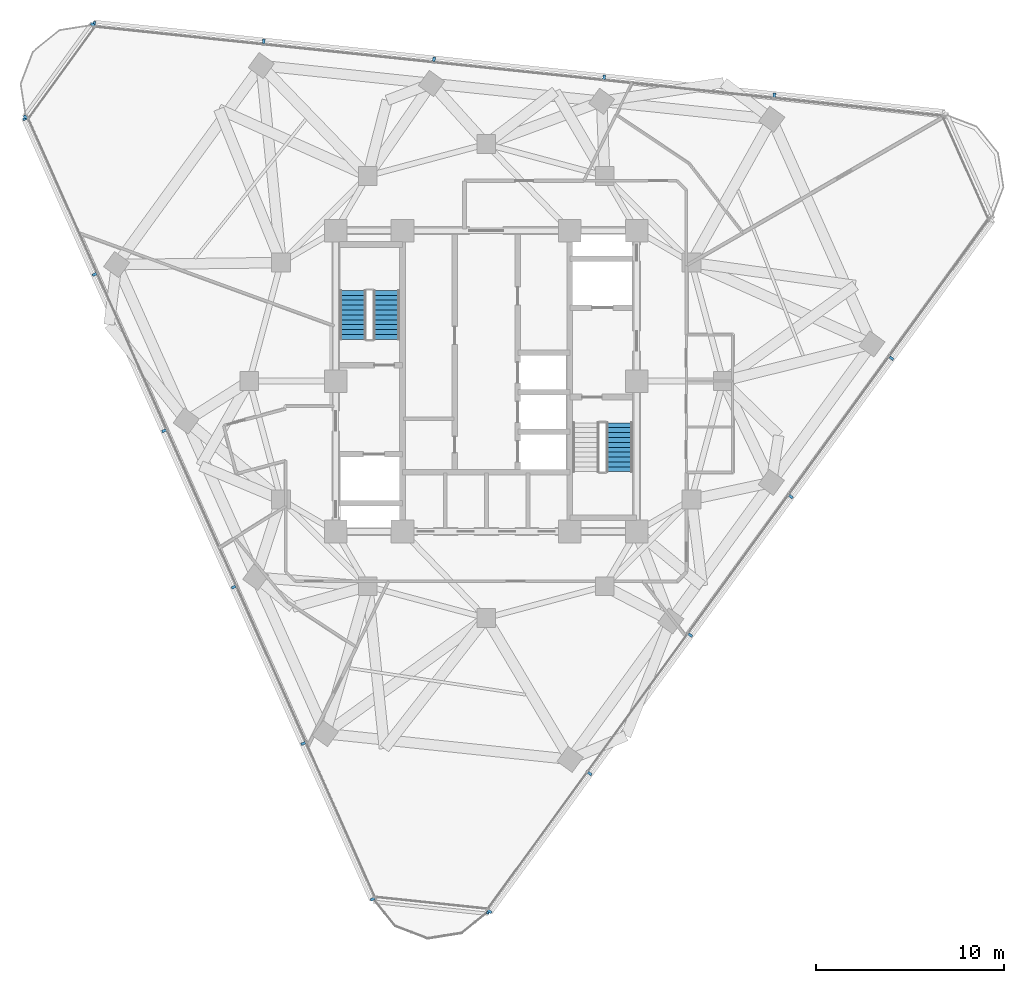
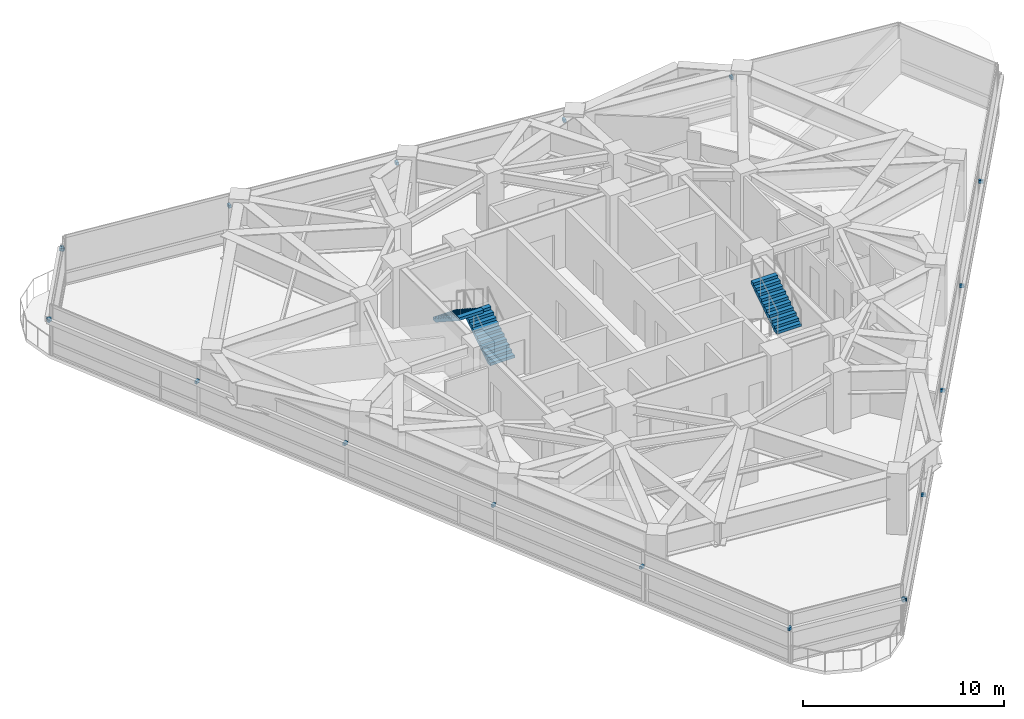
# One storey, part 10 of 14: 19 discrete accessories, 3 stair flights, 2 elements without a shape of their own.
"""IFC4 building model written with IfcOpenShell, lengths in metres."""

from ifc_helpers import new_model, si_unit, direction, frame, origin, origin_2d, place, context, subcontext, project, spatial, polyline, rectangle, outline, extrude, material, type_object, element, aggregate, save


model = new_model("IFC4")

# Units and contexts
model_context = context("Model", 3, precision=1e-05, world=origin(), true_north=direction((0.0, 1.0)))
body_context = subcontext(model_context, "Body", "Model", "MODEL_VIEW")
ifc_project = project(units=[si_unit("LENGTHUNIT", "METRE"), si_unit("AREAUNIT", "SQUARE_METRE"), si_unit("VOLUMEUNIT", "CUBIC_METRE"), si_unit("PLANEANGLEUNIT", "RADIAN"), si_unit("MASSUNIT", "GRAM", prefix="KILO")], contexts=[model_context])

# Site, building, storey
site_placement = place(None, origin())
site = spatial("IfcSite", under=ifc_project, at=site_placement, CompositionType="ELEMENT")
building_placement = place(site_placement, origin())
building = spatial("IfcBuilding", under=site, at=building_placement, Name="Terralouvre Media Tower", CompositionType="ELEMENT")
storey_placement = place(building_placement, frame((0.0, 0.0, 244.800048828125)))
storey = spatial("IfcBuildingStorey", under=building, at=storey_placement, Name="L63", CompositionType="ELEMENT", Elevation=244.800048828125)

# Stair, stair flights
ifc_material_1 = material(Name="Concrete C45/55", Category="concrete")
stair_type_1 = type_object("IfcStairType", Name="Dogleg Stair Assembly ST-01", PredefinedType="HALF_TURN_STAIR", material=ifc_material_1)
stair_1_placement = place(storey_placement, origin())
stair_1 = element("IfcStair", 1, at=stair_1_placement, inside=storey, type_object=stair_type_1, Name="L63 Core Pressurised Exit Stair ST-01", PredefinedType="HALF_TURN_STAIR")
ifc_material_2 = material(Name="Concrete C45/55", Category="concrete")
stair_flight_type = type_object("IfcStairFlightType", Name="Reinforced Concrete Stair Flight SF-RC1", PredefinedType="STRAIGHT", material=ifc_material_2)
stair_flight_1_placement = place(storey_placement, frame((-5.300048828125, 2.219970703125, 0.0), z_axis=(0.0, 0.0, 1.0), x_axis=(0.0, 1.0, 0.0)))
stair_flight_1 = element("IfcStairFlight", 2, at=stair_flight_1_placement, type_object=stair_flight_type, Name="ST-01 flight 1", NumberOfRisers=11, NumberOfTreads=10, PredefinedType="STRAIGHT", RiserHeight=0.168181818, TreadLength=0.26, context=body_context, shape_type="SweptSolid", body=[
    extrude(outline(polyline([(0.0, 0.0), (0.0, 0.168212890625), (0.260009765625, 0.168212890625), (0.260009765625, 0.33642578125), (0.52001953125, 0.33642578125), (0.52001953125, 0.504638671875), (0.780029296875, 0.504638671875), (0.780029296875, 0.672607421875), (1.0400390625, 0.672607421875), (1.0400390625, 0.8408203125), (1.300048828125, 0.8408203125), (1.300048828125, 1.009033203125), (1.56005859375, 1.009033203125), (1.56005859375, 1.17724609375), (1.820068359375, 1.17724609375), (1.820068359375, 1.345458984375), (2.080078125, 1.345458984375), (2.080078125, 1.513671875), (2.340087890625, 1.513671875), (2.340087890625, 1.681884765625), (2.60009765625, 1.681884765625), (2.60009765625, 1.85009765625), (2.60009765625, 1.503173828125), (0.27587890625, 0.0), (0.0, 0.0)])), frame((0.0, 0.699951171875, 0.0), z_axis=(0.0, -1.0, 0.0), x_axis=(1.0, 0.0, 0.0)), (0.0, 0.0, 1.0), 1.39990234375),
])
stair_flight_2_placement = place(storey_placement, frame((-7.080078125, 4.820068359375, 1.849853515625), z_axis=(0.0, 0.0, 1.0), x_axis=(0.0, -1.0, 0.0)))
stair_flight_2 = element("IfcStairFlight", 3, at=stair_flight_2_placement, type_object=stair_flight_type, Name="ST-01 flight 2", NumberOfRisers=11, NumberOfTreads=10, PredefinedType="STRAIGHT", RiserHeight=0.168181818, TreadLength=0.26, context=body_context, shape_type="SweptSolid", body=[
    extrude(outline(polyline([(0.0, 0.0), (0.0, 0.168212890625), (0.260009765625, 0.168212890625), (0.260009765625, 0.33642578125), (0.52001953125, 0.33642578125), (0.52001953125, 0.504638671875), (0.780029296875, 0.504638671875), (0.780029296875, 0.672607421875), (1.0400390625, 0.672607421875), (1.0400390625, 0.8408203125), (1.300048828125, 0.8408203125), (1.300048828125, 1.009033203125), (1.56005859375, 1.009033203125), (1.56005859375, 1.17724609375), (1.820068359375, 1.17724609375), (1.820068359375, 1.345458984375), (2.080078125, 1.345458984375), (2.080078125, 1.513671875), (2.340087890625, 1.513671875), (2.340087890625, 1.681884765625), (2.60009765625, 1.681884765625), (2.60009765625, 1.85009765625), (2.60009765625, 1.503173828125), (0.27587890625, 0.0), (0.0, 0.0)])), frame((0.0, 0.699951171875, 0.0), z_axis=(0.0, -1.0, 0.0), x_axis=(1.0, 0.0, 0.0)), (0.0, 0.0, 1.0), 1.39990234375),
])
aggregate(stair_1, [stair_flight_1, stair_flight_2])

# Stair, stair flight
ifc_material_3 = material(Name="Concrete C45/55", Category="concrete")
stair_type_2 = type_object("IfcStairType", Name="Dogleg Stair Assembly ST-02", PredefinedType="HALF_TURN_STAIR", material=ifc_material_3)
stair_2_placement = place(storey_placement, origin())
stair_2 = element("IfcStair", 4, at=stair_2_placement, inside=storey, type_object=stair_type_2, Name="L63 Core Pressurised Exit Stair ST-02", PredefinedType="HALF_TURN_STAIR")
stair_flight_3_placement = place(storey_placement, frame((7.080078125, -4.820068359375, 1.849853515625), z_axis=(0.0, 0.0, 1.0), x_axis=(0.0, 1.0, 0.0)))
stair_flight_3 = element("IfcStairFlight", 5, at=stair_flight_3_placement, type_object=stair_flight_type, Name="ST-02 flight 2", NumberOfRisers=11, NumberOfTreads=10, PredefinedType="STRAIGHT", RiserHeight=0.168181818, TreadLength=0.26, context=body_context, shape_type="SweptSolid", body=[
    extrude(outline(polyline([(0.0, 0.0), (0.0, 0.168212890625), (0.260009765625, 0.168212890625), (0.260009765625, 0.33642578125), (0.52001953125, 0.33642578125), (0.52001953125, 0.504638671875), (0.780029296875, 0.504638671875), (0.780029296875, 0.672607421875), (1.0400390625, 0.672607421875), (1.0400390625, 0.8408203125), (1.300048828125, 0.8408203125), (1.300048828125, 1.009033203125), (1.56005859375, 1.009033203125), (1.56005859375, 1.17724609375), (1.820068359375, 1.17724609375), (1.820068359375, 1.345458984375), (2.080078125, 1.345458984375), (2.080078125, 1.513671875), (2.340087890625, 1.513671875), (2.340087890625, 1.681884765625), (2.60009765625, 1.681884765625), (2.60009765625, 1.85009765625), (2.60009765625, 1.503173828125), (0.27587890625, 0.0), (0.0, 0.0)])), frame((0.0, 0.699951171875, 0.0), z_axis=(0.0, -1.0, 0.0), x_axis=(1.0, 0.0, 0.0)), (0.0, 0.0, 1.0), 1.39990234375),
])
aggregate(stair_2, [stair_flight_3])

# Discrete accessories
ifc_material_4 = material(Name="Anodised extruded aluminium 6063-T6", Category="aluminium")
discrete_accessory_type = type_object("IfcDiscreteAccessoryType", Name="Mullion Stand-Off Baguette Fixing Bracket BK-01", PredefinedType="BRACKET", material=ifc_material_4)
for number, where, z_axis, x_axis, name in (
    (6, (0.180419921875, -28.205322265625, 2.07421875), (0.0, 0.0, 1.0), (0.587785300879, 0.809016959074, 0.0), "CW-L63-F0 Baguette Outrigger Bracket 1.01"),
    (7, (5.50732421875, -20.87353515625, 2.07421875), (0.0, 0.0, 1.0), (0.587785300879, 0.809016959074, 0.0), "CW-L63-F0 Baguette Outrigger Bracket 1.02"),
    (8, (10.856201171875, -13.511474609375, 2.07421875), (0.0, 0.0, 1.0), (0.587785300879, 0.809016959074, 0.0), "CW-L63-F0 Baguette Outrigger Bracket 1.03"),
    (9, (16.205078125, -6.1494140625, 2.07421875), (0.0, 0.0, 1.0), (0.587785300879, 0.809016959074, 0.0), "CW-L63-F0 Baguette Outrigger Bracket 1.04"),
    (10, (21.553955078125, 1.212646484375, 2.07421875), (0.0, 0.0, 1.0), (0.587785300879, 0.809016959074, 0.0), "CW-L63-F0 Baguette Outrigger Bracket 1.05"),
    (11, (15.323486328125, 15.206298828125, 2.07421875), (0.0, 0.0, 1.0), (-0.994521885028, 0.104528561651, 0.0), "CW-L63-F1 Baguette Outrigger Bracket 1.02"),
    (12, (6.273193359375, 16.157470703125, 2.07421875), (0.0, 0.0, 1.0), (-0.994521885028, 0.104528561651, 0.0), "CW-L63-F1 Baguette Outrigger Bracket 1.03"),
    (13, (-2.77685546875, 17.108642578125, 2.07421875), (0.0, 0.0, 1.0), (-0.994521885028, 0.104528561651, 0.0), "CW-L63-F1 Baguette Outrigger Bracket 1.04"),
    (14, (-11.826904296875, 18.059814453125, 2.07421875), (0.0, 0.0, 1.0), (-0.994521885028, 0.104528561651, 0.0), "CW-L63-F1 Baguette Outrigger Bracket 1.05"),
    (15, (-20.83984375, 19.007080078125, 2.07421875), (0.0, 0.0, 1.0), (-0.994521885028, 0.104528561651, 0.0), "CW-L63-F1 Baguette Outrigger Bracket 1.06"),
    (16, (-24.516845703125, 13.9462890625, 2.07421875), (0.0, 0.0, 1.0), (0.406736679636, -0.913545441365, 0.0), "CW-L63-F2 Baguette Outrigger Bracket 1.01"),
    (17, (-20.830810546875, 5.667236328125, 2.07421875), (0.0, 0.0, 1.0), (0.406736679636, -0.913545441365, 0.0), "CW-L63-F2 Baguette Outrigger Bracket 1.02"),
    (18, (-17.12939453125, -2.64599609375, 2.07421875), (0.0, 0.0, 1.0), (0.406736679636, -0.913545441365, 0.0), "CW-L63-F2 Baguette Outrigger Bracket 1.03"),
    (19, (-13.42822265625, -10.959228515625, 2.07421875), (0.0, 0.0, 1.0), (0.406736679636, -0.913545441365, 0.0), "CW-L63-F2 Baguette Outrigger Bracket 1.04"),
    (20, (-9.726806640625, -19.2724609375, 2.07421875), (0.0, 0.0, 1.0), (0.406736679636, -0.913545441365, 0.0), "CW-L63-F2 Baguette Outrigger Bracket 1.05"),
    (21, (-6.040771484375, -27.551513671875, 2.07421875), (0.0, 0.0, 1.0), (0.406736679636, -0.913545441365, 0.0), "CW-L63-F2 Baguette Outrigger Bracket 1.06"),
    (22, (0.086669921875, -28.22802734375, 2.07421875), (0.0, 0.0, 1.0), (0.994521944551, -0.104527995322, 0.0), "CW-L63-C0 Baguette Outrigger Bracket 1.02"),
    (23, (-20.919677734375, 18.952880859375, 2.07421875), (0.0, 0.0, 1.0), (-0.58778588998, -0.809016531067, 0.0), "CW-L63-C2 Baguette Outrigger Bracket 1.01"),
    (24, (-24.48974609375, 14.0390625, 2.07421875), (0.0, 0.0, 1.0), (-0.58778588998, -0.809016531067, 0.0), "CW-L63-C2 Baguette Outrigger Bracket 1.02"),
):
    element("IfcDiscreteAccessory", number, at=place(storey_placement, frame(where, z_axis=z_axis, x_axis=x_axis)), inside=storey, type_object=discrete_accessory_type, Name=name, PredefinedType="BRACKET", context=body_context, shape_type="SweptSolid", body=[
        extrude(rectangle(XDim=0.139892578125, YDim=0.239990234375, at=origin_2d()), origin(), (0.0, 0.0, 1.0), 0.179931640625),
    ])

save(model, "model.ifc")
